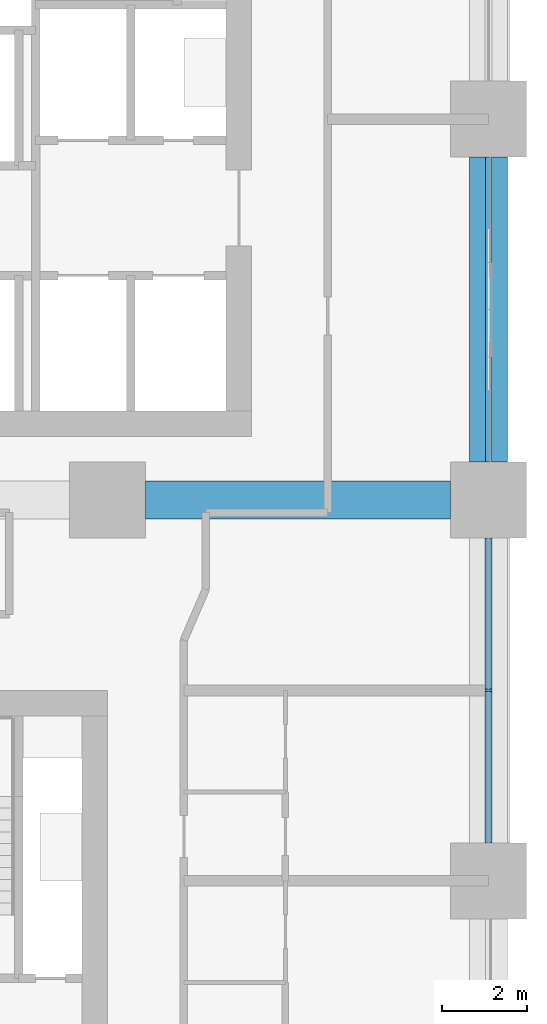
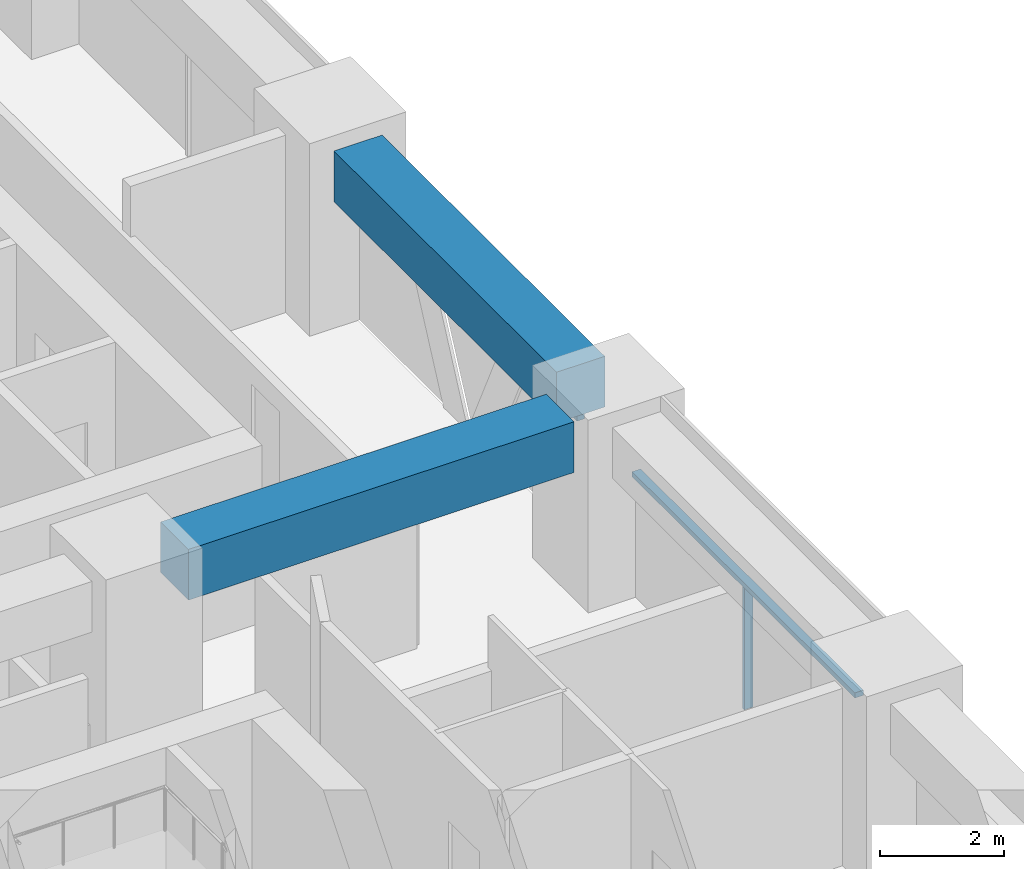
# One storey, part 5 of 18: 3 members, 2 beams, 2 elements without a shape of their own.
"""IFC4 building model written with IfcOpenShell, lengths in metres."""

import ifcopenshell
import ifcopenshell.guid

model = None  # the IFC model being written
_history = None  # IfcOwnerHistory: only IFC2X3 demands one
_inside = {}  # id of a spatial element -> (the spatial element, [elements in it])
_under = {}  # id of a project, library or spatial element -> (it, [spatial elements below it])
_declared = {}  # id of a project -> (the project, [libraries it declares])
_typed = {}  # id of a type object -> (the type object, [elements of that type])
_made_of = {}  # id of a material, layer set ... -> (it, [elements and type objects made of it])


def new_model(schema):
    """Start an empty IFC model of exactly this schema.

    Asked for "IFC4X3", IfcOpenShell would pick the latest addendum, in which some entities
    have other attributes; the version numbers below select the first issue.
    IFC2X3 requires an IfcOwnerHistory on every rooted entity: one is made here for all.
    """
    global model, _history
    if schema == "IFC4X3":
        model = ifcopenshell.file(schema_version=(4, 3, 0, 0))
    else:
        model = ifcopenshell.file(schema=schema)
    _inside.clear()
    _under.clear()
    _declared.clear()
    _typed.clear()
    _made_of.clear()
    _history = None
    if model.schema == "IFC2X3":
        org = make("IfcOrganization", Name="unknown")
        user = make(
            "IfcPersonAndOrganization",
            ThePerson=make("IfcPerson", FamilyName="unknown"),
            TheOrganization=org,
        )
        app = make(
            "IfcApplication",
            ApplicationDeveloper=org,
            Version="unknown",
            ApplicationFullName="unknown",
            ApplicationIdentifier="unknown",
        )
        _history = make(
            "IfcOwnerHistory",
            OwningUser=user,
            OwningApplication=app,
            ChangeAction="ADDED",
            CreationDate=0,
        )
    return model


def make(cls, **values):
    """One entity of the class cls with the attributes given. An attribute that is None is left unset."""
    return model.create_entity(
        cls, **{name: value for name, value in values.items() if value is not None}
    )


def rooted(cls, **values):
    """An entity with a GlobalId (a new one), such as an element, a storey or a relation."""
    return make(cls, GlobalId=ifcopenshell.guid.new(), OwnerHistory=_history, **values)


def si_unit(unit_type, name, prefix=None):
    """IfcSIUnit, for example si_unit("LENGTHUNIT", "METRE", prefix="MILLI")."""
    return make("IfcSIUnit", UnitType=unit_type, Prefix=prefix, Name=name)


def assignment(units):
    """IfcUnitAssignment: the units of a project."""
    return None if units is None else make("IfcUnitAssignment", Units=units)


def point(xyz):
    """IfcCartesianPoint."""
    return None if xyz is None else make("IfcCartesianPoint", Coordinates=xyz)


def direction(xyz):
    """IfcDirection."""
    return None if xyz is None else make("IfcDirection", DirectionRatios=xyz)


def frame(location, z_axis=None, x_axis=None):
    """IfcAxis2Placement3D, a coordinate frame: its origin and axes. An axis left out is left unset."""
    return make(
        "IfcAxis2Placement3D",
        Location=point(location),
        Axis=direction(z_axis),
        RefDirection=direction(x_axis),
    )


def frame_2d(location, x_axis=None):
    """IfcAxis2Placement2D, a coordinate frame in the plane: its origin and x axis."""
    return make(
        "IfcAxis2Placement2D", Location=point(location), RefDirection=direction(x_axis)
    )


def origin():
    """The frame at (0, 0, 0) with its axes left unset."""
    return frame((0.0, 0.0, 0.0))


def origin_2d():
    """The frame at (0, 0) in the plane with its x axis left unset."""
    return frame_2d((0.0, 0.0))


def place(relative_to, where):
    """IfcLocalPlacement: puts the frame where relative to a parent placement (None: the world)."""
    return make(
        "IfcLocalPlacement", PlacementRelTo=relative_to, RelativePlacement=where
    )


def context(
    kind, dimensions, precision=None, world=None, true_north=None, identifier=None
):
    """IfcGeometricRepresentationContext, for example the 3D "Model" context."""
    return make(
        "IfcGeometricRepresentationContext",
        ContextIdentifier=identifier,
        ContextType=kind,
        CoordinateSpaceDimension=dimensions,
        Precision=precision,
        WorldCoordinateSystem=world,
        TrueNorth=true_north,
    )


def subcontext(parent, identifier, kind, view, scale=None):
    """IfcGeometricRepresentationSubContext, for example "Body" below "Model"."""
    return make(
        "IfcGeometricRepresentationSubContext",
        ContextIdentifier=identifier,
        ContextType=kind,
        ParentContext=parent,
        TargetScale=scale,
        TargetView=view,
    )


def project(units=None, contexts=None):
    """IfcProject with its units and contexts."""
    return rooted(
        "IfcProject",
        Name="project",
        RepresentationContexts=contexts,
        UnitsInContext=assignment(units),
    )


def spatial(cls, under=None, at=None, **own):
    """A site, building, storey or space (cls), placed at a placement, below another one or the project."""
    s = rooted(cls, ObjectPlacement=at, **own)
    if under is not None:
        _under.setdefault(under.id(), (under, []))[1].append(s)
    return s


def profile(cls, at=None, kind="AREA", **sizes):
    """A parametric profile (cls). Its sizes go by their IFC names, for example OverallWidth=200.0."""
    return make(cls, ProfileType=kind, Position=at, **sizes)


def rectangle(**sizes):
    """IfcRectangleProfileDef."""
    return profile("IfcRectangleProfileDef", **sizes)


def extrude(swept, where, along, depth):
    """IfcExtrudedAreaSolid: the profile swept, set in the frame where, extruded along a direction by depth."""
    return make(
        "IfcExtrudedAreaSolid",
        SweptArea=swept,
        Position=where,
        ExtrudedDirection=direction(along),
        Depth=depth,
    )


def shape(context_of_items, identifier, shape_type, items):
    """IfcShapeRepresentation: the items that make up one representation, for example the "Body"."""
    return make(
        "IfcShapeRepresentation",
        ContextOfItems=context_of_items,
        RepresentationIdentifier=identifier,
        RepresentationType=shape_type,
        Items=items,
    )


def material(Name=None, Category=None):
    """IfcMaterial."""
    return make("IfcMaterial", Name=Name, Category=Category)


def material_profile(
    of_material, cross_section, Name=None, Category=None, Priority=None
):
    """IfcMaterialProfile: a cross section and its material."""
    return make(
        "IfcMaterialProfile",
        Name=Name,
        Material=of_material,
        Profile=cross_section,
        Priority=Priority,
        Category=Category,
    )


def profile_set(profiles, Name=None, composite=None):
    """IfcMaterialProfileSet."""
    return make(
        "IfcMaterialProfileSet",
        Name=Name,
        MaterialProfiles=profiles,
        CompositeProfile=composite,
    )


def made_of(thing, what):
    """Note that an element or type object is made of a material, layer set ...; save() writes the relation."""
    if what is not None:
        _made_of.setdefault(what.id(), (what, []))[1].append(thing)
    return thing


def type_object(cls, material=None, **own):
    """A type object (cls), such as IfcWallType, which elements share."""
    return made_of(rooted(cls, **own), material)


def element(
    cls,
    number,
    at=None,
    inside=None,
    cuts=None,
    type_object=None,
    material=None,
    context=None,
    identifier="Body",
    shape_type=None,
    held_by="IfcProductDefinitionShape",
    body=None,
    shapes=None,
    **own,
):
    """One element of the class cls, such as IfcWall. Its Tag is "e" and its number.

    at: its placement. inside: the storey or other place that contains it. cuts: it is an
    opening in that element (IfcRelVoidsElement). A single representation is given by context,
    identifier, shape_type and body (its items); several are given by shapes. held_by: the class
    of the entity that holds the representations. save() writes the other relations.
    """
    e = rooted(cls, Tag="e%d" % number, ObjectPlacement=at, **own)
    if body is not None:
        shapes = [shape(context, identifier, shape_type, body)]
    if shapes is not None:
        e.Representation = make(held_by, Representations=shapes)
    if inside is not None:
        _inside.setdefault(inside.id(), (inside, []))[1].append(e)
    if cuts is not None:
        rooted(
            "IfcRelVoidsElement", RelatingBuildingElement=cuts, RelatedOpeningElement=e
        )
    if type_object is not None:
        _typed.setdefault(type_object.id(), (type_object, []))[1].append(e)
    return made_of(e, material)


def aggregate(whole, parts):
    """IfcRelAggregates: a whole, such as a stair, and the parts it consists of."""
    return rooted("IfcRelAggregates", RelatingObject=whole, RelatedObjects=parts)


def save(model, path):
    """Write the relations noted so far, then the file.

    IfcRelAggregates (storeys below a building ...), IfcRelContainedInSpatialStructure (elements
    in a storey), IfcRelDefinesByType, IfcRelAssociatesMaterial and IfcRelDeclares: one each for
    every whole, place, type object, material and project.
    """
    for whole, parts in _under.values():
        aggregate(whole, parts)
    for where, things in _inside.values():
        rooted(
            "IfcRelContainedInSpatialStructure",
            RelatedElements=things,
            RelatingStructure=where,
        )
    for kind, things in _typed.values():
        rooted("IfcRelDefinesByType", RelatedObjects=things, RelatingType=kind)
    for what, things in _made_of.values():
        rooted("IfcRelAssociatesMaterial", RelatedObjects=things, RelatingMaterial=what)
    for by, libraries in _declared.values():
        rooted("IfcRelDeclares", RelatingContext=by, RelatedDefinitions=libraries)
    model.write(path)


model = new_model("IFC4")

# Units and contexts
model_context = context("Model", 3, precision=1e-05, world=origin(), true_north=direction((0.0, 1.0)))
body_context = subcontext(model_context, "Body", "Model", "MODEL_VIEW")
ifc_project = project(units=[si_unit("LENGTHUNIT", "METRE"), si_unit("AREAUNIT", "SQUARE_METRE"), si_unit("VOLUMEUNIT", "CUBIC_METRE"), si_unit("PLANEANGLEUNIT", "RADIAN"), si_unit("MASSUNIT", "GRAM", prefix="KILO")], contexts=[model_context])

# Site, building, storey
site_placement = place(None, origin())
site = spatial("IfcSite", under=ifc_project, at=site_placement, CompositionType="ELEMENT")
building_placement = place(site_placement, origin())
building = spatial("IfcBuilding", under=site, at=building_placement, Name="Tessera Arch", CompositionType="ELEMENT")
storey_placement = place(building_placement, frame((0.0, 0.0, 100.60009765625)))
storey = spatial("IfcBuildingStorey", under=building, at=storey_placement, Name="L23", CompositionType="ELEMENT", Elevation=100.60009765625)

# Curtain wall, members
ifc_material_1 = material(Name="CW1 curtain wall")
curtain_wall_type_1 = type_object("IfcCurtainWallType", Name="CW1 curtain wall", PredefinedType="NOTDEFINED", material=ifc_material_1)
curtain_wall_1_placement = place(storey_placement, origin())
curtain_wall_1 = element("IfcCurtainWall", 1, at=curtain_wall_1_placement, inside=storey, type_object=curtain_wall_type_1, Name="CW1 curtain wall E54.0/2 L23", PredefinedType="NOTDEFINED")
ifc_material_2 = material(Name="Anodised aluminium pale metal", Category="aluminium")
ifc_material_profile_1 = material_profile(ifc_material_2, rectangle(XDim=0.159912109375, YDim=0.06005859375, at=origin_2d()), Name="AL 60x160")
ifc_profile_set_1 = profile_set([ifc_material_profile_1], Name="Anodised aluminium pale metal")
member_type_1 = type_object("IfcMemberType", Name="CW1 mullion", PredefinedType="MULLION", material=ifc_profile_set_1)
member_1_placement = place(storey_placement, frame((54.0, 22.5, 0.0), z_axis=(0.0, 0.0, 1.0), x_axis=(-1.0, 0.0, 0.0)))
member_1 = element("IfcMember", 2, at=member_1_placement, type_object=member_type_1, Name="CW1 mullion E54.0/2 1", PredefinedType="MULLION", context=body_context, shape_type="SweptSolid", body=[
    extrude(rectangle(XDim=0.159912109375, YDim=0.06005859375, at=origin_2d()), origin(), (0.0, 0.0, 1.0), 2.39990234375),
])
ifc_material_3 = material(Name="Anodised aluminium pale metal", Category="aluminium")
ifc_material_profile_2 = material_profile(ifc_material_3, rectangle(XDim=0.159912109375, YDim=0.10009765625, at=origin_2d()), Name="AL 160x100")
ifc_profile_set_2 = profile_set([ifc_material_profile_2], Name="Anodised aluminium pale metal")
member_type_2 = type_object("IfcMemberType", Name="CW1 transom", PredefinedType="USERDEFINED", material=ifc_profile_set_2)
member_2_placement = place(storey_placement, frame((54.0, 18.89990234375, 2.449951171875), z_axis=(0.0, 1.0, 0.0), x_axis=(-1.0, 0.0, 0.0)))
member_2 = element("IfcMember", 3, at=member_2_placement, type_object=member_type_2, Name="CW1 transom E54.0/2 1.1", ObjectType="TRANSOM", PredefinedType="USERDEFINED", context=body_context, shape_type="SweptSolid", body=[
    extrude(rectangle(XDim=0.159912109375, YDim=0.10009765625, at=origin_2d()), origin(), (0.0, 0.0, 1.0), 7.2001953125),
])
aggregate(curtain_wall_1, [member_1, member_2])

# Curtain wall, member
ifc_material_4 = material(Name="CW3 curtain wall")
curtain_wall_type_2 = type_object("IfcCurtainWallType", Name="CW3 curtain wall", PredefinedType="NOTDEFINED", material=ifc_material_4)
curtain_wall_2_placement = place(storey_placement, origin())
curtain_wall_2 = element("IfcCurtainWall", 4, at=curtain_wall_2_placement, inside=storey, type_object=curtain_wall_type_2, Name="CW3 curtain wall E54.0/3 L23", PredefinedType="NOTDEFINED")
ifc_material_5 = material(Name="Anodised aluminium pale metal", Category="aluminium")
ifc_material_profile_3 = material_profile(ifc_material_5, rectangle(XDim=0.139892578125, YDim=0.10009765625, at=origin_2d()), Name="AL 140x100")
ifc_profile_set_3 = profile_set([ifc_material_profile_3], Name="Anodised aluminium pale metal")
member_type_3 = type_object("IfcMemberType", Name="CW3 transom", PredefinedType="USERDEFINED", material=ifc_profile_set_3)
member_3_placement = place(storey_placement, frame((54.0, 27.89990234375, 2.449951171875), z_axis=(0.0, 1.0, 0.0), x_axis=(-1.0, 0.0, 0.0)))
member_3 = element("IfcMember", 5, at=member_3_placement, type_object=member_type_3, Name="CW3 transom E54.0/3 1.1", ObjectType="TRANSOM", PredefinedType="USERDEFINED", context=body_context, shape_type="SweptSolid", body=[
    extrude(rectangle(XDim=0.139892578125, YDim=0.10009765625, at=origin_2d()), origin(), (0.0, 0.0, 1.0), 7.2001953125),
])
aggregate(curtain_wall_2, [member_3])

# Beams
ifc_material_6 = material(Name="Concrete C80/95", Category="concrete")
ifc_material_profile_4 = material_profile(ifc_material_6, rectangle(XDim=0.89990234375, YDim=1.0, at=origin_2d()), Name="RC spandrel beam 900 x 1000 Concrete C80/95")
ifc_profile_set_4 = profile_set([ifc_material_profile_4], Name="Concrete C80/95")
beam_type = type_object("IfcBeamType", Name="RC spandrel beam 900 x 1000 Concrete C80/95", PredefinedType="BEAM", material=ifc_profile_set_4)
for number, where, z_axis, x_axis, name in (
    (6, (54.0, 27.89990234375, 3.0), (0.0, 1.0, 0.0), (-1.0, 0.0, 0.0), "Spandrel beam L23 E54.0/3"),
    (7, (45.89990234375, 27.0, 3.0), (1.0, 0.0, 0.0), (0.0, 1.0, 0.0), "Interface beam L23 I1C6D-C7D"),
):
    element("IfcBeam", number, at=place(storey_placement, frame(where, z_axis=z_axis, x_axis=x_axis)), inside=storey, type_object=beam_type, Name=name, PredefinedType="BEAM", context=body_context, shape_type="SweptSolid", body=[
        extrude(rectangle(XDim=0.89990234375, YDim=1.0, at=origin_2d()), origin(), (0.0, 0.0, 1.0), 7.2001953125),
    ])

save(model, "model.ifc")
